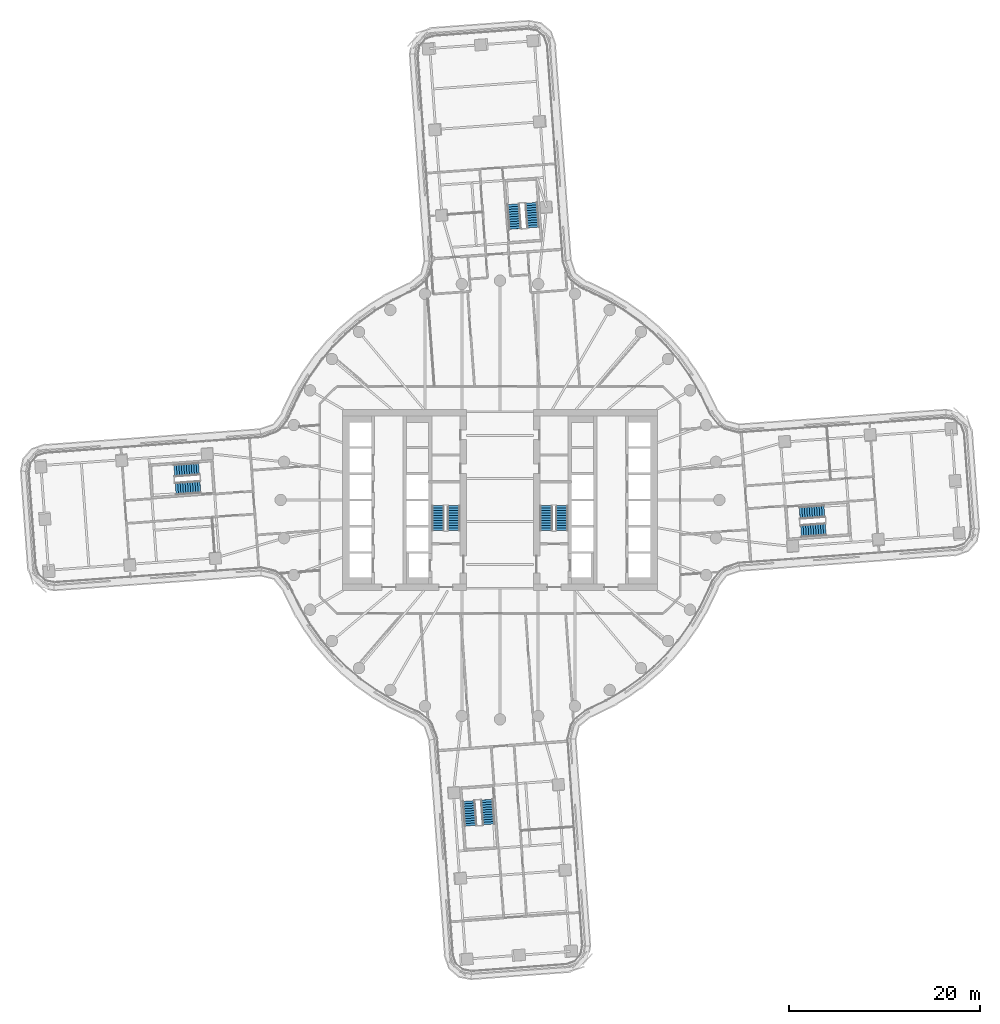
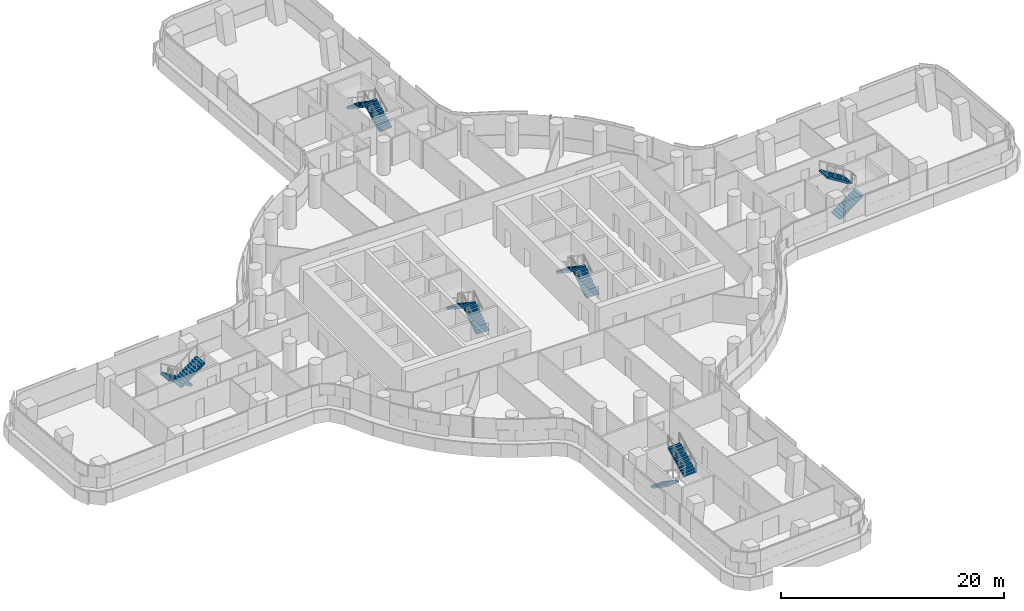
# One storey, part 24 of 31: 12 stair flights, 6 elements without a shape of their own.
"""IFC4 building model written with IfcOpenShell, lengths in metres."""

from ifc_helpers import new_model, si_unit, direction, frame, origin, place, context, subcontext, project, spatial, polyline, outline, extrude, material, type_object, element, aggregate, save


model = new_model("IFC4")

# Units and contexts
model_context = context("Model", 3, precision=1e-05, world=origin(), true_north=direction((0.0, 1.0)))
body_context = subcontext(model_context, "Body", "Model", "MODEL_VIEW")
ifc_project = project(units=[si_unit("LENGTHUNIT", "METRE"), si_unit("AREAUNIT", "SQUARE_METRE"), si_unit("VOLUMEUNIT", "CUBIC_METRE"), si_unit("PLANEANGLEUNIT", "RADIAN"), si_unit("MASSUNIT", "GRAM", prefix="KILO")], contexts=[model_context])

# Site, building, storey
site_placement = place(None, origin())
site = spatial("IfcSite", under=ifc_project, at=site_placement, CompositionType="ELEMENT")
building_placement = place(site_placement, origin())
building = spatial("IfcBuilding", under=site, at=building_placement, Name="Tamarind Cross Interchange Tower", CompositionType="ELEMENT")
storey_placement = place(building_placement, frame((0.0, 0.0, 49.0)))
storey = spatial("IfcBuildingStorey", under=building, at=storey_placement, Name="L10", CompositionType="ELEMENT", Elevation=49.0)

# Stair, stair flights
ifc_material_1 = material(Name="Exit stair")
stair_type = type_object("IfcStairType", Name="Exit stair", PredefinedType="HALF_TURN_STAIR", material=ifc_material_1)
stair_1_placement = place(storey_placement, origin())
stair_1 = element("IfcStair", 1, at=stair_1_placement, inside=storey, type_object=stair_type, Name="L10 exit stair ST1", PredefinedType="HALF_TURN_STAIR")
ifc_material_2 = material(Name="Exit stair flight")
stair_flight_type = type_object("IfcStairFlightType", Name="Exit stair flight", PredefinedType="STRAIGHT", material=ifc_material_2)
stair_flight_1_placement = place(storey_placement, frame((-4.85009765625, -3.199951171875, 0.0), z_axis=(0.0, 0.0, 1.0), x_axis=(0.0, 1.0, 0.0)))
stair_flight_1 = element("IfcStairFlight", 2, at=stair_flight_1_placement, type_object=stair_flight_type, Name="ST1 flight 1", NumberOfRisers=11, NumberOfTreads=10, PredefinedType="STRAIGHT", RiserHeight=0.170454545, TreadLength=0.26, context=body_context, shape_type="SweptSolid", body=[
    extrude(outline(polyline([(0.0, 0.0), (0.0, 0.17041015625), (0.260009765625, 0.17041015625), (0.260009765625, 0.3408203125), (0.52001953125, 0.3408203125), (0.52001953125, 0.511474609375), (0.780029296875, 0.511474609375), (0.780029296875, 0.681884765625), (1.0400390625, 0.681884765625), (1.0400390625, 0.852294921875), (1.300048828125, 0.852294921875), (1.300048828125, 1.022705078125), (1.56005859375, 1.022705078125), (1.56005859375, 1.193115234375), (1.820068359375, 1.193115234375), (1.820068359375, 1.363525390625), (2.080078125, 1.363525390625), (2.080078125, 1.5341796875), (2.340087890625, 1.5341796875), (2.340087890625, 1.70458984375), (2.60009765625, 1.70458984375), (2.60009765625, 1.875), (2.60009765625, 1.525390625), (0.2734375, 0.0), (0.0, 0.0)])), frame((0.0, 0.64990234375, 0.0), z_axis=(0.0, -1.0, 0.0), x_axis=(1.0, 0.0, 0.0)), (0.0, 0.0, 1.0), 1.300048828125),
])
stair_flight_2_placement = place(storey_placement, frame((-6.5, -0.60009765625, 1.875), z_axis=(0.0, 0.0, 1.0), x_axis=(0.0, -1.0, 0.0)))
stair_flight_2 = element("IfcStairFlight", 3, at=stair_flight_2_placement, type_object=stair_flight_type, Name="ST1 flight 2", NumberOfRisers=11, NumberOfTreads=10, PredefinedType="STRAIGHT", RiserHeight=0.170454545, TreadLength=0.26, context=body_context, shape_type="SweptSolid", body=[
    extrude(outline(polyline([(0.0, 0.0), (0.0, 0.17041015625), (0.260009765625, 0.17041015625), (0.260009765625, 0.3408203125), (0.52001953125, 0.3408203125), (0.52001953125, 0.511474609375), (0.780029296875, 0.511474609375), (0.780029296875, 0.681884765625), (1.0400390625, 0.681884765625), (1.0400390625, 0.852294921875), (1.300048828125, 0.852294921875), (1.300048828125, 1.022705078125), (1.56005859375, 1.022705078125), (1.56005859375, 1.193115234375), (1.820068359375, 1.193115234375), (1.820068359375, 1.363525390625), (2.080078125, 1.363525390625), (2.080078125, 1.5341796875), (2.340087890625, 1.5341796875), (2.340087890625, 1.70458984375), (2.60009765625, 1.70458984375), (2.60009765625, 1.7548828125), (2.612060546875, 1.7548828125), (2.612060546875, 1.533203125), (0.2734375, 0.0), (0.0, 0.0)])), frame((0.0, 0.64990234375, 0.0), z_axis=(0.0, -1.0, 0.0), x_axis=(1.0, 0.0, 0.0)), (0.0, 0.0, 1.0), 1.300048828125),
])
aggregate(stair_1, [stair_flight_1, stair_flight_2])

stair_2_placement = place(storey_placement, origin())
stair_2 = element("IfcStair", 4, at=stair_2_placement, inside=storey, type_object=stair_type, Name="L10 exit stair ST2", PredefinedType="HALF_TURN_STAIR")
stair_flight_3_placement = place(storey_placement, frame((6.5, -3.199951171875, 0.0), z_axis=(0.0, 0.0, 1.0), x_axis=(0.0, 1.0, 0.0)))
stair_flight_3 = element("IfcStairFlight", 5, at=stair_flight_3_placement, type_object=stair_flight_type, Name="ST2 flight 1", NumberOfRisers=11, NumberOfTreads=10, PredefinedType="STRAIGHT", RiserHeight=0.170454545, TreadLength=0.26, context=body_context, shape_type="SweptSolid", body=[
    extrude(outline(polyline([(0.0, 0.0), (0.0, 0.17041015625), (0.260009765625, 0.17041015625), (0.260009765625, 0.3408203125), (0.52001953125, 0.3408203125), (0.52001953125, 0.511474609375), (0.780029296875, 0.511474609375), (0.780029296875, 0.681884765625), (1.0400390625, 0.681884765625), (1.0400390625, 0.852294921875), (1.300048828125, 0.852294921875), (1.300048828125, 1.022705078125), (1.56005859375, 1.022705078125), (1.56005859375, 1.193115234375), (1.820068359375, 1.193115234375), (1.820068359375, 1.363525390625), (2.080078125, 1.363525390625), (2.080078125, 1.5341796875), (2.340087890625, 1.5341796875), (2.340087890625, 1.70458984375), (2.60009765625, 1.70458984375), (2.60009765625, 1.875), (2.60009765625, 1.525390625), (0.2734375, 0.0), (0.0, 0.0)])), frame((0.0, 0.64990234375, 0.0), z_axis=(0.0, -1.0, 0.0), x_axis=(1.0, 0.0, 0.0)), (0.0, 0.0, 1.0), 1.300048828125),
])
stair_flight_4_placement = place(storey_placement, frame((4.85009765625, -0.60009765625, 1.875), z_axis=(0.0, 0.0, 1.0), x_axis=(0.0, -1.0, 0.0)))
stair_flight_4 = element("IfcStairFlight", 6, at=stair_flight_4_placement, type_object=stair_flight_type, Name="ST2 flight 2", NumberOfRisers=11, NumberOfTreads=10, PredefinedType="STRAIGHT", RiserHeight=0.170454545, TreadLength=0.26, context=body_context, shape_type="SweptSolid", body=[
    extrude(outline(polyline([(0.0, 0.0), (0.0, 0.17041015625), (0.260009765625, 0.17041015625), (0.260009765625, 0.3408203125), (0.52001953125, 0.3408203125), (0.52001953125, 0.511474609375), (0.780029296875, 0.511474609375), (0.780029296875, 0.681884765625), (1.0400390625, 0.681884765625), (1.0400390625, 0.852294921875), (1.300048828125, 0.852294921875), (1.300048828125, 1.022705078125), (1.56005859375, 1.022705078125), (1.56005859375, 1.193115234375), (1.820068359375, 1.193115234375), (1.820068359375, 1.363525390625), (2.080078125, 1.363525390625), (2.080078125, 1.5341796875), (2.340087890625, 1.5341796875), (2.340087890625, 1.70458984375), (2.60009765625, 1.70458984375), (2.60009765625, 1.7548828125), (2.612060546875, 1.7548828125), (2.612060546875, 1.533203125), (0.2734375, 0.0), (0.0, 0.0)])), frame((0.0, 0.64990234375, 0.0), z_axis=(0.0, -1.0, 0.0), x_axis=(1.0, 0.0, 0.0)), (0.0, 0.0, 1.0), 1.300048828125),
])
aggregate(stair_2, [stair_flight_3, stair_flight_4])

stair_3_placement = place(storey_placement, origin())
stair_3 = element("IfcStair", 7, at=stair_3_placement, inside=storey, type_object=stair_type, Name="L10 exit stair ST3", PredefinedType="HALF_TURN_STAIR")
stair_flight_5_placement = place(storey_placement, frame((31.563232421875, -3.26171875, 0.0), z_axis=(0.0, 0.0, 1.0), x_axis=(0.997340999058, 0.072876138746, 0.0)))
stair_flight_5 = element("IfcStairFlight", 8, at=stair_flight_5_placement, type_object=stair_flight_type, Name="ST3 flight 1", NumberOfRisers=11, NumberOfTreads=10, PredefinedType="STRAIGHT", RiserHeight=0.170454545, TreadLength=0.26, context=body_context, shape_type="SweptSolid", body=[
    extrude(outline(polyline([(0.0, 0.0), (0.0, 0.17041015625), (0.260009765625, 0.17041015625), (0.260009765625, 0.3408203125), (0.52001953125, 0.3408203125), (0.52001953125, 0.511474609375), (0.780029296875, 0.511474609375), (0.780029296875, 0.681884765625), (1.0400390625, 0.681884765625), (1.0400390625, 0.852294921875), (1.300048828125, 0.852294921875), (1.300048828125, 1.022705078125), (1.56005859375, 1.022705078125), (1.56005859375, 1.193115234375), (1.820068359375, 1.193115234375), (1.820068359375, 1.363525390625), (2.080078125, 1.363525390625), (2.080078125, 1.5341796875), (2.340087890625, 1.5341796875), (2.340087890625, 1.70458984375), (2.60009765625, 1.70458984375), (2.60009765625, 1.875), (2.60009765625, 1.525390625), (0.2734375, 0.0), (0.0, 0.0)])), frame((0.0, 0.64990234375, 0.0), z_axis=(0.0, -1.0, 0.0), x_axis=(1.0, 0.0, 0.0)), (0.0, 0.0, 1.0), 1.300048828125),
])
stair_flight_6_placement = place(storey_placement, frame((34.017822265625, -1.17724609375, 1.875), z_axis=(0.0, 0.0, 1.0), x_axis=(-0.997340999058, -0.072876138746, 0.0)))
stair_flight_6 = element("IfcStairFlight", 9, at=stair_flight_6_placement, type_object=stair_flight_type, Name="ST3 flight 2", NumberOfRisers=11, NumberOfTreads=10, PredefinedType="STRAIGHT", RiserHeight=0.170454545, TreadLength=0.26, context=body_context, shape_type="SweptSolid", body=[
    extrude(outline(polyline([(0.0, 0.0), (0.0, 0.17041015625), (0.260009765625, 0.17041015625), (0.260009765625, 0.3408203125), (0.52001953125, 0.3408203125), (0.52001953125, 0.511474609375), (0.780029296875, 0.511474609375), (0.780029296875, 0.681884765625), (1.0400390625, 0.681884765625), (1.0400390625, 0.852294921875), (1.300048828125, 0.852294921875), (1.300048828125, 1.022705078125), (1.56005859375, 1.022705078125), (1.56005859375, 1.193115234375), (1.820068359375, 1.193115234375), (1.820068359375, 1.363525390625), (2.080078125, 1.363525390625), (2.080078125, 1.5341796875), (2.340087890625, 1.5341796875), (2.340087890625, 1.70458984375), (2.60009765625, 1.70458984375), (2.60009765625, 1.7548828125), (2.612060546875, 1.7548828125), (2.612060546875, 1.533203125), (0.2734375, 0.0), (0.0, 0.0)])), frame((0.0, 0.64990234375, 0.0), z_axis=(0.0, -1.0, 0.0), x_axis=(1.0, 0.0, 0.0)), (0.0, 0.0, 1.0), 1.300048828125),
])
aggregate(stair_3, [stair_flight_5, stair_flight_6])

stair_4_placement = place(storey_placement, origin())
stair_4 = element("IfcStair", 10, at=stair_4_placement, inside=storey, type_object=stair_type, Name="L10 exit stair ST4", PredefinedType="HALF_TURN_STAIR")
stair_flight_7_placement = place(storey_placement, frame((3.48046875, 28.571044921875, 0.0), z_axis=(0.0, 0.0, 1.0), x_axis=(-0.072876138746, 0.997340999058, 0.0)))
stair_flight_7 = element("IfcStairFlight", 11, at=stair_flight_7_placement, type_object=stair_flight_type, Name="ST4 flight 1", NumberOfRisers=11, NumberOfTreads=10, PredefinedType="STRAIGHT", RiserHeight=0.170454545, TreadLength=0.26, context=body_context, shape_type="SweptSolid", body=[
    extrude(outline(polyline([(0.0, 0.0), (0.0, 0.17041015625), (0.260009765625, 0.17041015625), (0.260009765625, 0.3408203125), (0.52001953125, 0.3408203125), (0.52001953125, 0.511474609375), (0.780029296875, 0.511474609375), (0.780029296875, 0.681884765625), (1.0400390625, 0.681884765625), (1.0400390625, 0.852294921875), (1.300048828125, 0.852294921875), (1.300048828125, 1.022705078125), (1.56005859375, 1.022705078125), (1.56005859375, 1.193115234375), (1.820068359375, 1.193115234375), (1.820068359375, 1.363525390625), (2.080078125, 1.363525390625), (2.080078125, 1.5341796875), (2.340087890625, 1.5341796875), (2.340087890625, 1.70458984375), (2.60009765625, 1.70458984375), (2.60009765625, 1.875), (2.60009765625, 1.525390625), (0.2734375, 0.0), (0.0, 0.0)])), frame((0.0, 0.64990234375, 0.0), z_axis=(0.0, -1.0, 0.0), x_axis=(1.0, 0.0, 0.0)), (0.0, 0.0, 1.0), 1.300048828125),
])
stair_flight_8_placement = place(storey_placement, frame((1.39599609375, 31.025634765625, 1.875), z_axis=(0.0, 0.0, 1.0), x_axis=(0.072876138746, -0.997340999058, 0.0)))
stair_flight_8 = element("IfcStairFlight", 12, at=stair_flight_8_placement, type_object=stair_flight_type, Name="ST4 flight 2", NumberOfRisers=11, NumberOfTreads=10, PredefinedType="STRAIGHT", RiserHeight=0.170454545, TreadLength=0.26, context=body_context, shape_type="SweptSolid", body=[
    extrude(outline(polyline([(0.0, 0.0), (0.0, 0.17041015625), (0.260009765625, 0.17041015625), (0.260009765625, 0.3408203125), (0.52001953125, 0.3408203125), (0.52001953125, 0.511474609375), (0.780029296875, 0.511474609375), (0.780029296875, 0.681884765625), (1.0400390625, 0.681884765625), (1.0400390625, 0.852294921875), (1.300048828125, 0.852294921875), (1.300048828125, 1.022705078125), (1.56005859375, 1.022705078125), (1.56005859375, 1.193115234375), (1.820068359375, 1.193115234375), (1.820068359375, 1.363525390625), (2.080078125, 1.363525390625), (2.080078125, 1.5341796875), (2.340087890625, 1.5341796875), (2.340087890625, 1.70458984375), (2.60009765625, 1.70458984375), (2.60009765625, 1.7548828125), (2.612060546875, 1.7548828125), (2.612060546875, 1.533203125), (0.2734375, 0.0), (0.0, 0.0)])), frame((0.0, 0.64990234375, 0.0), z_axis=(0.0, -1.0, 0.0), x_axis=(1.0, 0.0, 0.0)), (0.0, 0.0, 1.0), 1.300048828125),
])
aggregate(stair_4, [stair_flight_7, stair_flight_8])

stair_5_placement = place(storey_placement, origin())
stair_5 = element("IfcStair", 13, at=stair_5_placement, inside=storey, type_object=stair_type, Name="L10 exit stair ST5", PredefinedType="HALF_TURN_STAIR")
stair_flight_9_placement = place(storey_placement, frame((-31.563232421875, 3.26171875, 0.0), z_axis=(0.0, 0.0, 1.0), x_axis=(-0.997340999058, -0.072876138746, 0.0)))
stair_flight_9 = element("IfcStairFlight", 14, at=stair_flight_9_placement, type_object=stair_flight_type, Name="ST5 flight 1", NumberOfRisers=11, NumberOfTreads=10, PredefinedType="STRAIGHT", RiserHeight=0.170454545, TreadLength=0.26, context=body_context, shape_type="SweptSolid", body=[
    extrude(outline(polyline([(0.0, 0.0), (0.0, 0.17041015625), (0.260009765625, 0.17041015625), (0.260009765625, 0.3408203125), (0.52001953125, 0.3408203125), (0.52001953125, 0.511474609375), (0.780029296875, 0.511474609375), (0.780029296875, 0.681884765625), (1.0400390625, 0.681884765625), (1.0400390625, 0.852294921875), (1.300048828125, 0.852294921875), (1.300048828125, 1.022705078125), (1.56005859375, 1.022705078125), (1.56005859375, 1.193115234375), (1.820068359375, 1.193115234375), (1.820068359375, 1.363525390625), (2.080078125, 1.363525390625), (2.080078125, 1.5341796875), (2.340087890625, 1.5341796875), (2.340087890625, 1.70458984375), (2.60009765625, 1.70458984375), (2.60009765625, 1.875), (2.60009765625, 1.525390625), (0.2734375, 0.0), (0.0, 0.0)])), frame((0.0, 0.64990234375, 0.0), z_axis=(0.0, -1.0, 0.0), x_axis=(1.0, 0.0, 0.0)), (0.0, 0.0, 1.0), 1.300048828125),
])
stair_flight_10_placement = place(storey_placement, frame((-34.017822265625, 1.17724609375, 1.875), z_axis=(0.0, 0.0, 1.0), x_axis=(0.997340999058, 0.072876138746, 0.0)))
stair_flight_10 = element("IfcStairFlight", 15, at=stair_flight_10_placement, type_object=stair_flight_type, Name="ST5 flight 2", NumberOfRisers=11, NumberOfTreads=10, PredefinedType="STRAIGHT", RiserHeight=0.170454545, TreadLength=0.26, context=body_context, shape_type="SweptSolid", body=[
    extrude(outline(polyline([(0.0, 0.0), (0.0, 0.17041015625), (0.260009765625, 0.17041015625), (0.260009765625, 0.3408203125), (0.52001953125, 0.3408203125), (0.52001953125, 0.511474609375), (0.780029296875, 0.511474609375), (0.780029296875, 0.681884765625), (1.0400390625, 0.681884765625), (1.0400390625, 0.852294921875), (1.300048828125, 0.852294921875), (1.300048828125, 1.022705078125), (1.56005859375, 1.022705078125), (1.56005859375, 1.193115234375), (1.820068359375, 1.193115234375), (1.820068359375, 1.363525390625), (2.080078125, 1.363525390625), (2.080078125, 1.5341796875), (2.340087890625, 1.5341796875), (2.340087890625, 1.70458984375), (2.60009765625, 1.70458984375), (2.60009765625, 1.7548828125), (2.612060546875, 1.7548828125), (2.612060546875, 1.533203125), (0.2734375, 0.0), (0.0, 0.0)])), frame((0.0, 0.64990234375, 0.0), z_axis=(0.0, -1.0, 0.0), x_axis=(1.0, 0.0, 0.0)), (0.0, 0.0, 1.0), 1.300048828125),
])
aggregate(stair_5, [stair_flight_9, stair_flight_10])

stair_6_placement = place(storey_placement, origin())
stair_6 = element("IfcStair", 16, at=stair_6_placement, inside=storey, type_object=stair_type, Name="L10 exit stair ST6", PredefinedType="HALF_TURN_STAIR")
stair_flight_11_placement = place(storey_placement, frame((-3.26171875, -31.563232421875, 0.0), z_axis=(0.0, 0.0, 1.0), x_axis=(0.072876138746, -0.997340999058, 0.0)))
stair_flight_11 = element("IfcStairFlight", 17, at=stair_flight_11_placement, type_object=stair_flight_type, Name="ST6 flight 1", NumberOfRisers=11, NumberOfTreads=10, PredefinedType="STRAIGHT", RiserHeight=0.170454545, TreadLength=0.26, context=body_context, shape_type="SweptSolid", body=[
    extrude(outline(polyline([(0.0, 0.0), (0.0, 0.17041015625), (0.260009765625, 0.17041015625), (0.260009765625, 0.3408203125), (0.52001953125, 0.3408203125), (0.52001953125, 0.511474609375), (0.780029296875, 0.511474609375), (0.780029296875, 0.681884765625), (1.0400390625, 0.681884765625), (1.0400390625, 0.852294921875), (1.300048828125, 0.852294921875), (1.300048828125, 1.022705078125), (1.56005859375, 1.022705078125), (1.56005859375, 1.193115234375), (1.820068359375, 1.193115234375), (1.820068359375, 1.363525390625), (2.080078125, 1.363525390625), (2.080078125, 1.5341796875), (2.340087890625, 1.5341796875), (2.340087890625, 1.70458984375), (2.60009765625, 1.70458984375), (2.60009765625, 1.875), (2.60009765625, 1.525390625), (0.2734375, 0.0), (0.0, 0.0)])), frame((0.0, 0.64990234375, 0.0), z_axis=(0.0, -1.0, 0.0), x_axis=(1.0, 0.0, 0.0)), (0.0, 0.0, 1.0), 1.300048828125),
])
stair_flight_12_placement = place(storey_placement, frame((-1.17724609375, -34.017822265625, 1.875), z_axis=(0.0, 0.0, 1.0), x_axis=(-0.072876138746, 0.997340999058, 0.0)))
stair_flight_12 = element("IfcStairFlight", 18, at=stair_flight_12_placement, type_object=stair_flight_type, Name="ST6 flight 2", NumberOfRisers=11, NumberOfTreads=10, PredefinedType="STRAIGHT", RiserHeight=0.170454545, TreadLength=0.26, context=body_context, shape_type="SweptSolid", body=[
    extrude(outline(polyline([(0.0, 0.0), (0.0, 0.17041015625), (0.260009765625, 0.17041015625), (0.260009765625, 0.3408203125), (0.52001953125, 0.3408203125), (0.52001953125, 0.511474609375), (0.780029296875, 0.511474609375), (0.780029296875, 0.681884765625), (1.0400390625, 0.681884765625), (1.0400390625, 0.852294921875), (1.300048828125, 0.852294921875), (1.300048828125, 1.022705078125), (1.56005859375, 1.022705078125), (1.56005859375, 1.193115234375), (1.820068359375, 1.193115234375), (1.820068359375, 1.363525390625), (2.080078125, 1.363525390625), (2.080078125, 1.5341796875), (2.340087890625, 1.5341796875), (2.340087890625, 1.70458984375), (2.60009765625, 1.70458984375), (2.60009765625, 1.7548828125), (2.612060546875, 1.7548828125), (2.612060546875, 1.533203125), (0.2734375, 0.0), (0.0, 0.0)])), frame((0.0, 0.64990234375, 0.0), z_axis=(0.0, -1.0, 0.0), x_axis=(1.0, 0.0, 0.0)), (0.0, 0.0, 1.0), 1.300048828125),
])
aggregate(stair_6, [stair_flight_11, stair_flight_12])

save(model, "model.ifc")
